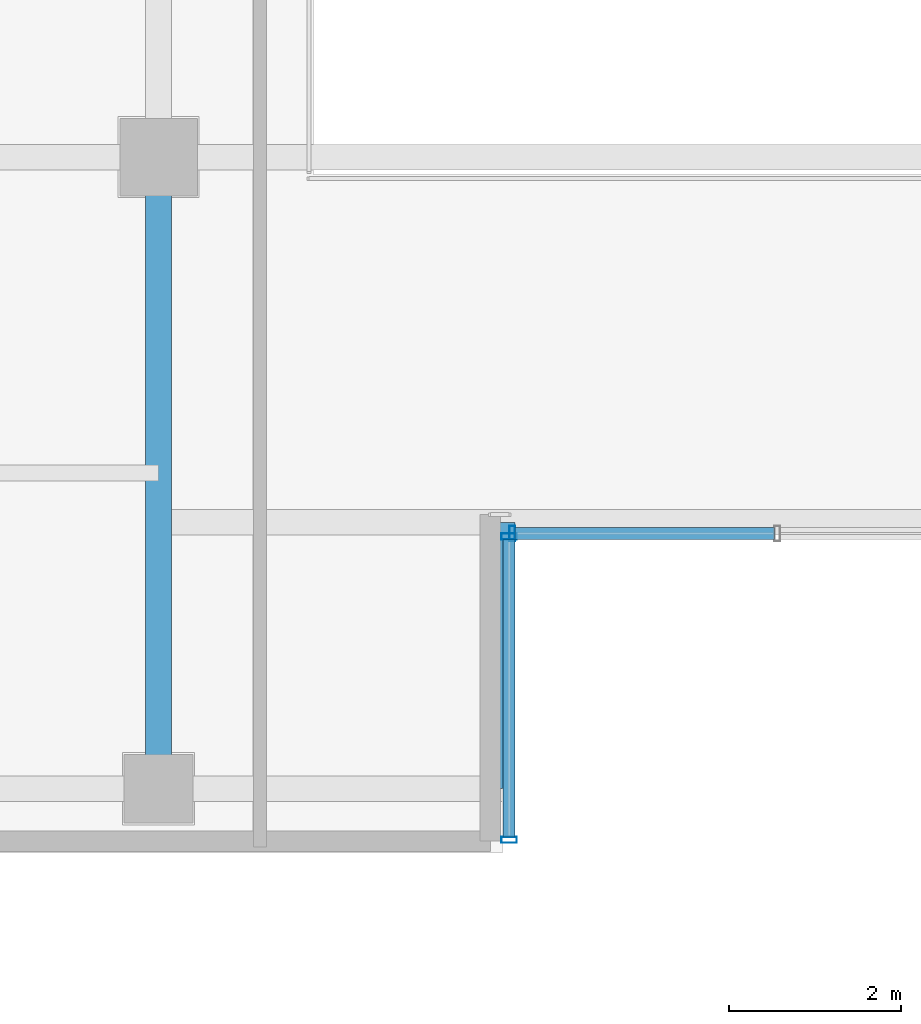
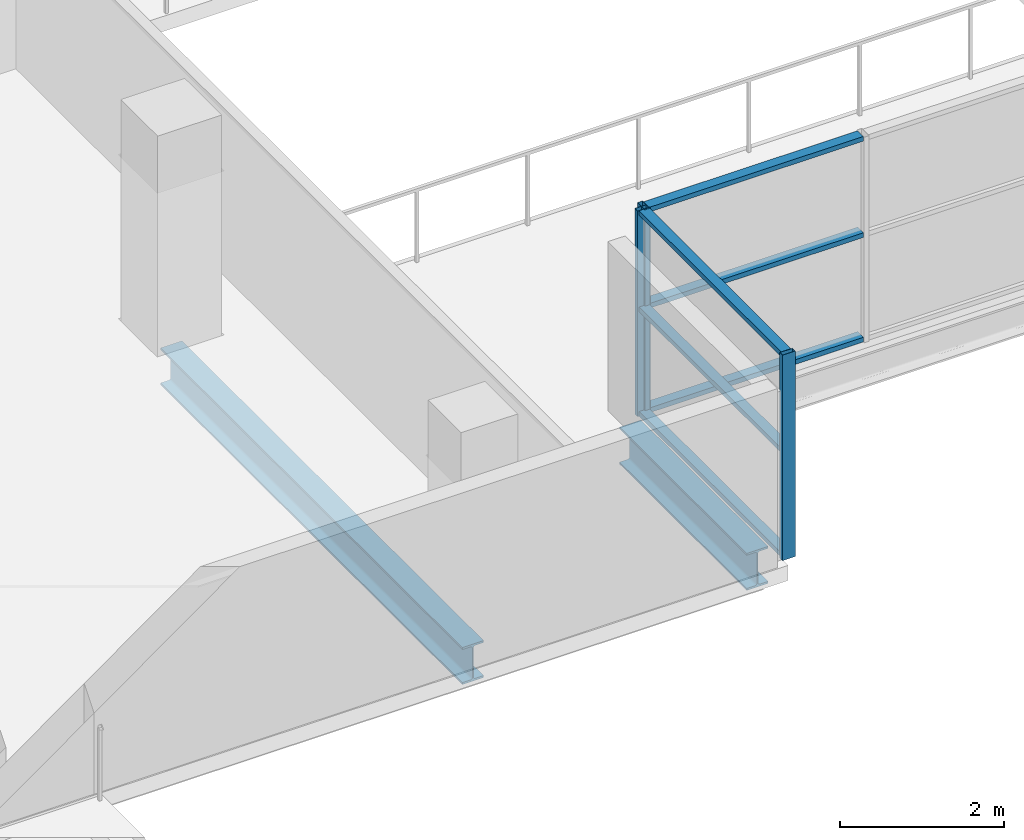
# One storey, part 3 of 28: 9 members, 2 beams, 2 elements without a shape of their own.
"""IFC4 building model written with IfcOpenShell, lengths in metres."""

from ifc_helpers import new_model, si_unit, direction, frame, origin, origin_2d, place, context, subcontext, project, spatial, hollow_rectangle, i_section, extrude, source, transform, mapped, material, layer, layer_set, material_profile, profile_set, type_object, element, aggregate, save


model = new_model("IFC4")

# Units and contexts
model_context = context("Model", 3, precision=1e-05, world=origin(), true_north=direction((0.0, 1.0)))
body_context = subcontext(model_context, "Body", "Model", "MODEL_VIEW")
ifc_project = project(units=[si_unit("LENGTHUNIT", "METRE"), si_unit("AREAUNIT", "SQUARE_METRE"), si_unit("VOLUMEUNIT", "CUBIC_METRE"), si_unit("PLANEANGLEUNIT", "RADIAN"), si_unit("MASSUNIT", "GRAM", prefix="KILO")], contexts=[model_context])

# Site, building, storey
site_placement = place(None, origin())
site = spatial("IfcSite", under=ifc_project, at=site_placement, CompositionType="ELEMENT")
building_placement = place(site_placement, origin())
building = spatial("IfcBuilding", under=site, at=building_placement, Name="Zarnakvel Exchange Tower", CompositionType="ELEMENT")
storey_placement = place(building_placement, frame((0.0, 0.0, 103.300048828125)))
storey = spatial("IfcBuildingStorey", under=building, at=storey_placement, Name="L28", CompositionType="ELEMENT", Elevation=103.300048828125)

# Beams
ifc_material_1 = material(Name="Steel S355", Category="steel")
ifc_material_profile_1 = material_profile(ifc_material_1, i_section(OverallWidth=0.300048828125, OverallDepth=0.550048828125, WebThickness=0.014892578125, FlangeThickness=0.029052734375, FilletRadius=0.027099609375, at=origin_2d()))
ifc_profile_set_1 = profile_set([ifc_material_profile_1], Name="Steel S355")
beam_type = type_object("IfcBeamType", Name="G-05", PredefinedType="BEAM", material=ifc_profile_set_1)
beam_1_placement = place(storey_placement, frame((-3.199951171875, -16.949951171875, -0.5), z_axis=(0.0, 1.0, 0.0), x_axis=(-1.0, 0.0, 0.0)))
element("IfcBeam", 1, at=beam_1_placement, inside=storey, type_object=beam_type, Name="L28 South Slot West Cheek Beam", PredefinedType="BEAM", context=body_context, shape_type="SweptSolid", body=[
    extrude(i_section(OverallWidth=0.300048828125, OverallDepth=0.550048828125, WebThickness=0.014892578125, FlangeThickness=0.029052734375, FilletRadius=0.027099609375, at=origin_2d()), origin(), (0.0, 0.0, 1.0), 3.099853515625),
])
beam_2_placement = place(storey_placement, frame((-7.199951171875, -16.949951171875, -0.5), z_axis=(0.0, 1.0, 0.0), x_axis=(-1.0, 0.0, 0.0)))
element("IfcBeam", 2, at=beam_2_placement, inside=storey, type_object=beam_type, Name="L28 Tower N-S Frame Beam", PredefinedType="BEAM", context=body_context, shape_type="SweptSolid", body=[
    extrude(i_section(OverallWidth=0.300048828125, OverallDepth=0.550048828125, WebThickness=0.014892578125, FlangeThickness=0.029052734375, FilletRadius=0.027099609375, at=origin_2d()), origin(), (0.0, 0.0, 1.0), 7.349853515625),
])

# Curtain wall, members
ifc_material_2 = material(Name="Architectural Bronze Anodised Aluminium", Category="aluminium")
ifc_layer = layer(ifc_material_2, 0.179931640625)
ifc_layer_set = layer_set([ifc_layer], Name="Architectural Bronze Anodised Aluminium")
curtain_wall_type = type_object("IfcCurtainWallType", Name="CW-05", PredefinedType="NOTDEFINED", material=ifc_layer_set)
curtain_wall_1_placement = place(storey_placement, origin())
curtain_wall_1 = element("IfcCurtainWall", 3, at=curtain_wall_1_placement, inside=storey, type_object=curtain_wall_type, Name="L28 Curtain Wall CW-L28-SLW (CW-05)", PredefinedType="NOTDEFINED")
ifc_material_profile_2 = material_profile(ifc_material_2, hollow_rectangle(XDim=0.139892578125, YDim=0.070068359375, WallThickness=0.00390625, at=origin_2d()))
ifc_profile_set_2 = profile_set([ifc_material_profile_2], Name="Architectural Bronze Anodised Aluminium")
member_type_1 = type_object("IfcMemberType", Name="CWT-05", PredefinedType="USERDEFINED", material=ifc_profile_set_2)
shared_shape_1 = source(origin(), body_context, "Body", "SweptSolid", [
    extrude(hollow_rectangle(XDim=0.139892578125, YDim=0.070068359375, WallThickness=0.00390625, at=origin_2d()), origin(), (0.0, 0.0, 1.0), 3.4599609375),
])
member_1_placement = place(storey_placement, frame((-3.1201171875, -17.510009765625, 0.034912109375), z_axis=(0.0, 1.0, 0.0), x_axis=(-1.0, 0.0, 0.0)))
member_1 = element("IfcMember", 4, at=member_1_placement, type_object=member_type_1, Name="CW-05 transom 1.1", ObjectType="TRANSOM", PredefinedType="USERDEFINED", context=body_context, shape_type="MappedRepresentation", body=[
    mapped(shared_shape_1, transform((0.0, 0.0, 0.0), x_axis=(1.0, 0.0, 0.0), y_axis=(0.0, 1.0, 0.0), z_axis=(0.0, 0.0, 1.0), scale=1.0)),
])
member_2_placement = place(storey_placement, frame((-3.1201171875, -17.510009765625, 1.588623046875), z_axis=(0.0, 1.0, 0.0), x_axis=(-1.0, 0.0, 0.0)))
member_2 = element("IfcMember", 5, at=member_2_placement, type_object=member_type_1, Name="CW-05 transom 1.2", ObjectType="TRANSOM", PredefinedType="USERDEFINED", context=body_context, shape_type="MappedRepresentation", body=[
    mapped(shared_shape_1, transform((0.0, 0.0, 0.0), x_axis=(1.0, 0.0, 0.0), y_axis=(0.0, 1.0, 0.0), z_axis=(0.0, 0.0, 1.0), scale=1.0)),
])
member_3_placement = place(storey_placement, frame((-3.1201171875, -17.510009765625, 3.02001953125), z_axis=(0.0, 1.0, 0.0), x_axis=(-1.0, 0.0, 0.0)))
member_3 = element("IfcMember", 6, at=member_3_placement, type_object=member_type_1, Name="CW-05 transom 1.3", ObjectType="TRANSOM", PredefinedType="USERDEFINED", context=body_context, shape_type="MappedRepresentation", body=[
    mapped(shared_shape_1, transform((0.0, 0.0, 0.0), x_axis=(1.0, 0.0, 0.0), y_axis=(0.0, 1.0, 0.0), z_axis=(0.0, 0.0, 1.0), scale=1.0)),
])

curtain_wall_2_placement = place(storey_placement, origin())
curtain_wall_2 = element("IfcCurtainWall", 7, at=curtain_wall_2_placement, inside=storey, type_object=curtain_wall_type, Name="L28 Curtain Wall CW-L28-SLB (CW-05)", PredefinedType="NOTDEFINED")
shared_shape_2 = source(origin(), body_context, "Body", "SweptSolid", [
    extrude(hollow_rectangle(XDim=0.139892578125, YDim=0.070068359375, WallThickness=0.00390625, at=origin_2d()), origin(), (0.0, 0.0, 1.0), 3.01513671875),
])
member_4_placement = place(storey_placement, frame((-3.050048828125, -13.97998046875, 0.034912109375), z_axis=(1.0, 0.0, 0.0), x_axis=(0.0, 1.0, 0.0)))
member_4 = element("IfcMember", 8, at=member_4_placement, type_object=member_type_1, Name="CW-05 transom 1.1", ObjectType="TRANSOM", PredefinedType="USERDEFINED", context=body_context, shape_type="MappedRepresentation", body=[
    mapped(shared_shape_2, transform((0.0, 0.0, 0.0), x_axis=(1.0, 0.0, 0.0), y_axis=(0.0, 1.0, 0.0), z_axis=(0.0, 0.0, 1.0), scale=1.0)),
])
member_5_placement = place(storey_placement, frame((-3.050048828125, -13.97998046875, 1.588623046875), z_axis=(1.0, 0.0, 0.0), x_axis=(0.0, 1.0, 0.0)))
member_5 = element("IfcMember", 9, at=member_5_placement, type_object=member_type_1, Name="CW-05 transom 1.2", ObjectType="TRANSOM", PredefinedType="USERDEFINED", context=body_context, shape_type="MappedRepresentation", body=[
    mapped(shared_shape_2, transform((0.0, 0.0, 0.0), x_axis=(1.0, 0.0, 0.0), y_axis=(0.0, 1.0, 0.0), z_axis=(0.0, 0.0, 1.0), scale=1.0)),
])
member_6_placement = place(storey_placement, frame((-3.050048828125, -13.97998046875, 3.02001953125), z_axis=(1.0, 0.0, 0.0), x_axis=(0.0, 1.0, 0.0)))
member_6 = element("IfcMember", 10, at=member_6_placement, type_object=member_type_1, Name="CW-05 transom 1.3", ObjectType="TRANSOM", PredefinedType="USERDEFINED", context=body_context, shape_type="MappedRepresentation", body=[
    mapped(shared_shape_2, transform((0.0, 0.0, 0.0), x_axis=(1.0, 0.0, 0.0), y_axis=(0.0, 1.0, 0.0), z_axis=(0.0, 0.0, 1.0), scale=1.0)),
])

# Member
ifc_material_profile_3 = material_profile(ifc_material_2, hollow_rectangle(XDim=0.179931640625, YDim=0.070068359375, WallThickness=0.00390625, at=origin_2d()))
ifc_profile_set_3 = profile_set([ifc_material_profile_3], Name="Architectural Bronze Anodised Aluminium")
member_type_2 = type_object("IfcMemberType", Name="CWM-05", PredefinedType="MULLION", material=ifc_profile_set_3)
shared_shape_3 = source(origin(), body_context, "Body", "SweptSolid", [
    extrude(hollow_rectangle(XDim=0.179931640625, YDim=0.070068359375, WallThickness=0.00390625, at=origin_2d()), origin(), (0.0, 0.0, 1.0), 3.054931640625),
])
member_7_placement = place(storey_placement, frame((-3.1201171875, -17.544921875, 0.0), z_axis=(0.0, 0.0, 1.0), x_axis=(-1.0, 0.0, 0.0)))
member_7 = element("IfcMember", 11, at=member_7_placement, type_object=member_type_2, Name="CW-05 mullion 1", PredefinedType="MULLION", context=body_context, shape_type="MappedRepresentation", body=[
    mapped(shared_shape_3, transform((0.0, 0.0, 0.0), x_axis=(1.0, 0.0, 0.0), y_axis=(0.0, 1.0, 0.0), z_axis=(0.0, 0.0, 1.0), scale=1.0)),
])

member_8_placement = place(storey_placement, frame((-3.1201171875, -14.014892578125, 0.0), z_axis=(0.0, 0.0, 1.0), x_axis=(-1.0, 0.0, 0.0)))
member_8 = element("IfcMember", 12, at=member_8_placement, type_object=member_type_2, Name="CW-05 mullion 2", PredefinedType="MULLION", context=body_context, shape_type="MappedRepresentation", body=[
    mapped(shared_shape_3, transform((0.0, 0.0, 0.0), x_axis=(1.0, 0.0, 0.0), y_axis=(0.0, 1.0, 0.0), z_axis=(0.0, 0.0, 1.0), scale=1.0)),
])

aggregate(curtain_wall_1, [member_7, member_8, member_1, member_2, member_3])

member_9_placement = place(storey_placement, frame((-3.0849609375, -13.97998046875, 0.0), z_axis=(0.0, 0.0, 1.0), x_axis=(0.0, 1.0, 0.0)))
member_9 = element("IfcMember", 13, at=member_9_placement, type_object=member_type_2, Name="CW-05 mullion 1", PredefinedType="MULLION", context=body_context, shape_type="MappedRepresentation", body=[
    mapped(shared_shape_3, transform((0.0, 0.0, 0.0), x_axis=(1.0, 0.0, 0.0), y_axis=(0.0, 1.0, 0.0), z_axis=(0.0, 0.0, 1.0), scale=1.0)),
])

aggregate(curtain_wall_2, [member_9, member_4, member_5, member_6])

save(model, "model.ifc")
